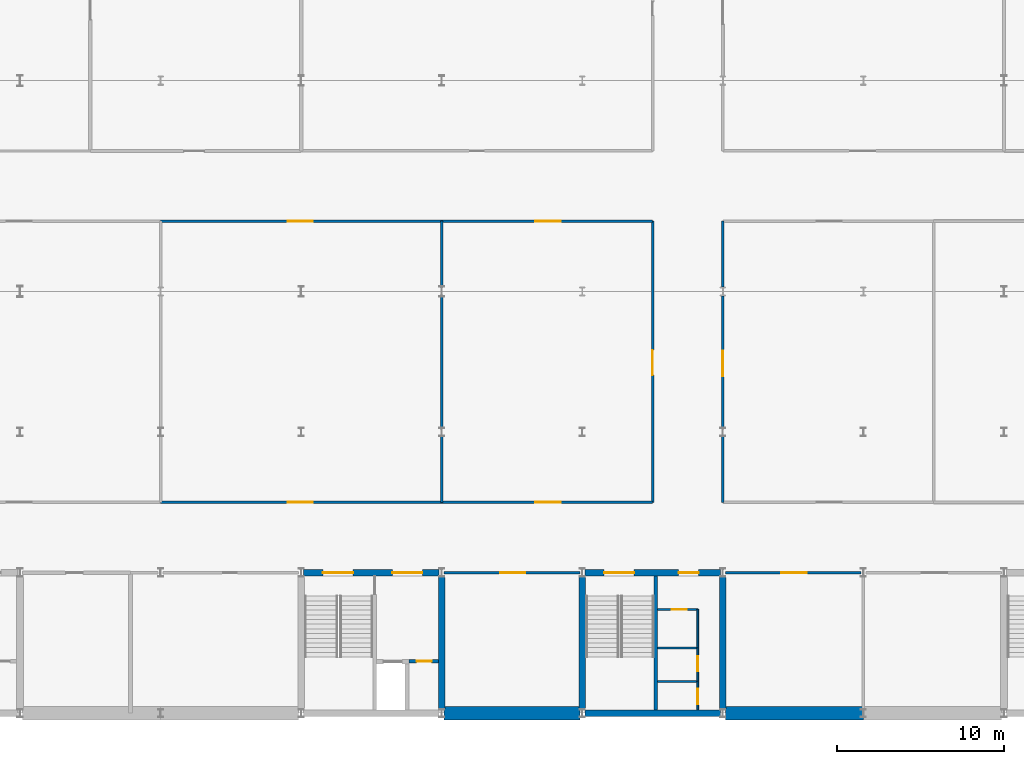
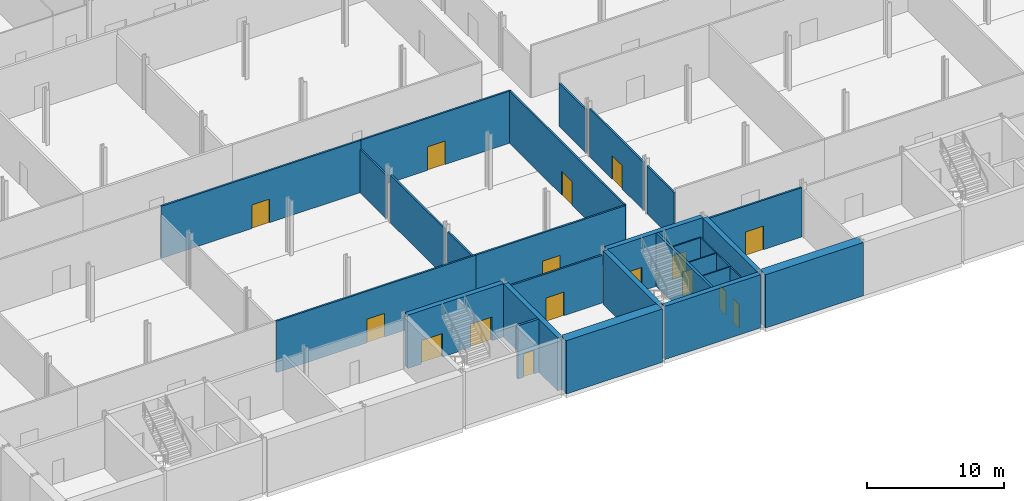
# One storey, part 11 of 20: 29 walls, 16 doors, 16 openings.
"""IFC4 building model written with IfcOpenShell, lengths in metres."""

from ifc_helpers import new_model, si_unit, direction, frame, frame_2d, origin, place, context, subcontext, project, spatial, rectangle, extrude, material, layer, layer_set, type_object, element, fill, save


model = new_model("IFC4")

# Units and contexts
model_context = context("Model", 3, precision=1e-05, world=origin(), true_north=direction((0.0, 1.0)))
body_context = subcontext(model_context, "Body", "Model", "MODEL_VIEW")
ifc_project = project(units=[si_unit("LENGTHUNIT", "METRE"), si_unit("AREAUNIT", "SQUARE_METRE"), si_unit("VOLUMEUNIT", "CUBIC_METRE"), si_unit("PLANEANGLEUNIT", "RADIAN"), si_unit("MASSUNIT", "GRAM", prefix="KILO")], contexts=[model_context])

# Site, building, storey
site_placement = place(None, origin())
site = spatial("IfcSite", under=ifc_project, at=site_placement, CompositionType="ELEMENT")
building_placement = place(site_placement, origin())
building = spatial("IfcBuilding", under=site, at=building_placement, Name="Galleria Vessillo Department Store", CompositionType="ELEMENT")
storey_placement = place(building_placement, frame((0.0, 0.0, -4.89990234375)))
storey = spatial("IfcBuildingStorey", under=building, at=storey_placement, Name="B1", CompositionType="ELEMENT", Elevation=-4.89990234375)

# Walls
ifc_material_1 = material(Name="Concrete C32/40 reinforced", Category="concrete")
ifc_layer_1 = layer(ifc_material_1, 0.800048828125)
ifc_layer_set_1 = layer_set([ifc_layer_1], Name="Concrete C32/40 reinforced")
wall_type_1 = type_object("IfcWallType", Name="Diaphragm wall 800 mm", PredefinedType="SOLIDWALL", material=ifc_layer_set_1)
wall_1_placement = place(storey_placement, frame((42.14990234375, 0.0, 0.0), z_axis=(0.0, 0.0, 1.0), x_axis=(1.0, 0.0, 0.0)))
element("IfcWall", 1, at=wall_1_placement, inside=storey, type_object=wall_type_1, Name="S-BW-S-B1-04", PredefinedType="SOLIDWALL", context=body_context, shape_type="SweptSolid", body=[
    extrude(rectangle(XDim=8.10009765625, YDim=0.800048828125, at=frame_2d((4.050048828125, 0.0))), origin(), (0.0, 0.0, 1.0), 4.75),
])
wall_2_placement = place(storey_placement, frame((58.949951171875, 0.0, 0.0), z_axis=(0.0, 0.0, 1.0), x_axis=(1.0, 0.0, 0.0)))
element("IfcWall", 2, at=wall_2_placement, inside=storey, type_object=wall_type_1, Name="S-BW-S-B1-05", PredefinedType="SOLIDWALL", context=body_context, shape_type="SweptSolid", body=[
    extrude(rectangle(XDim=8.25, YDim=0.800048828125, at=frame_2d((4.125, 0.0))), origin(), (0.0, 0.0, 1.0), 4.75),
])

# Wall, openings, doors
ifc_material_2 = material(Name="Concrete C32/40 reinforced", Category="concrete")
ifc_layer_2 = layer(ifc_material_2, 0.39990234375)
ifc_layer_set_2 = layer_set([ifc_layer_2], Name="Concrete C32/40 reinforced")
wall_type_2 = type_object("IfcWallType", Name="Reinforced concrete core wall 400 mm", PredefinedType="SHEAR", material=ifc_layer_set_2)
wall_3_placement = place(storey_placement, frame((33.75, 8.39990234375, 0.0), z_axis=(0.0, 0.0, 1.0), x_axis=(1.0, 0.0, 0.0)))
wall_3 = element("IfcWall", 3, at=wall_3_placement, inside=storey, type_object=wall_type_2, Name="S-CW-PC-SM-INTERIOR-B1", PredefinedType="SHEAR", context=body_context, shape_type="SweptSolid", body=[
    extrude(rectangle(XDim=8.10009765625, YDim=0.39990234375, at=frame_2d((4.050048828125, 0.0))), origin(), (0.0, 0.0, 1.0), 4.75),
])
opening_1_placement = place(wall_3_placement, frame((1.14990234375, 0.0, 0.0)))
opening_1 = element("IfcOpeningElement", 4, at=opening_1_placement, cuts=wall_3, Name="Opening D5071", PredefinedType="OPENING", context=body_context, shape_type="SweptSolid", body=[
    extrude(rectangle(XDim=1.800048828125, YDim=2.10009765625, at=frame_2d((0.89990234375, 1.050048828125))), frame((0.0, 0.2099609375, 0.0), z_axis=(0.0, -1.0, 0.0), x_axis=(1.0, 0.0, 0.0)), (0.0, 0.0, 1.0), 0.419921875),
])
opening_2_placement = place(wall_3_placement, frame((5.2998046875, 0.0, 0.0)))
opening_2 = element("IfcOpeningElement", 5, at=opening_2_placement, cuts=wall_3, Name="Opening D5072", PredefinedType="OPENING", context=body_context, shape_type="SweptSolid", body=[
    extrude(rectangle(XDim=1.800048828125, YDim=2.10009765625, at=frame_2d((0.89990234375, 1.050048828125))), frame((0.0, 0.2099609375, 0.0), z_axis=(0.0, -1.0, 0.0), x_axis=(1.0, 0.0, 0.0)), (0.0, 0.0, 1.0), 0.419921875),
])
ifc_material_3 = material(Name="Fire-rated steel door leaf", Category="steel")
door_type_1 = type_object("IfcDoorType", Name="Door D180F double leaf 1800 x 2100", OperationType="DOUBLE_DOOR_SINGLE_SWING", PredefinedType="DOOR", material=ifc_material_3)
door_1_placement = place(opening_1_placement, frame((1.800048828125, 0.0, 0.0), z_axis=(0.0, 0.0, 1.0), x_axis=(-1.0, 0.0, 0.0)))
door_1 = element("IfcDoor", 6, at=door_1_placement, inside=storey, type_object=door_type_1, Name="Lobby door PC-SM-ST-FLOOR B1", OperationType="DOUBLE_DOOR_SINGLE_SWING", OverallHeight=2.10009765625, OverallWidth=1.800048828125, PredefinedType="DOOR", context=body_context, shape_type="SweptSolid", body=[
    extrude(rectangle(XDim=1.800048828125, YDim=2.10009765625, at=frame_2d((0.89990234375, 1.050048828125))), frame((0.0, 0.02490234375, 0.0), z_axis=(0.0, -1.0, 0.0), x_axis=(1.0, 0.0, 0.0)), (0.0, 0.0, 1.0), 0.050048828125),
])
fill(opening_1, door_1)
door_2_placement = place(opening_2_placement, origin())
door_2 = element("IfcDoor", 7, at=door_2_placement, inside=storey, type_object=door_type_1, Name="Lobby door PC-SM-LOBBY-FLOOR B1", OperationType="DOUBLE_DOOR_SINGLE_SWING", OverallHeight=2.10009765625, OverallWidth=1.800048828125, PredefinedType="DOOR", context=body_context, shape_type="SweptSolid", body=[
    extrude(rectangle(XDim=1.800048828125, YDim=2.10009765625, at=frame_2d((0.89990234375, 1.050048828125))), frame((0.0, 0.02490234375, 0.0), z_axis=(0.0, -1.0, 0.0), x_axis=(1.0, 0.0, 0.0)), (0.0, 0.0, 1.0), 0.050048828125),
])
fill(opening_2, door_2)

# Wall
wall_4_placement = place(storey_placement, frame((42.0, 0.25, 0.0), z_axis=(0.0, 0.0, 1.0), x_axis=(0.0, 1.0, 0.0)))
element("IfcWall", 8, at=wall_4_placement, inside=storey, type_object=wall_type_2, Name="S-CW-PC-SM-EAST-B1", PredefinedType="SHEAR", context=body_context, shape_type="SweptSolid", body=[
    extrude(rectangle(XDim=7.89990234375, YDim=0.39990234375, at=frame_2d((3.949951171875, 0.0))), origin(), (0.0, 0.0, 1.0), 4.75),
])

# Wall, openings, doors
wall_5_placement = place(storey_placement, frame((50.5498046875, 8.39990234375, 0.0), z_axis=(0.0, 0.0, 1.0), x_axis=(1.0, 0.0, 0.0)))
wall_5 = element("IfcWall", 9, at=wall_5_placement, inside=storey, type_object=wall_type_2, Name="S-CW-PC-SC-INTERIOR-B1", PredefinedType="SHEAR", context=body_context, shape_type="SweptSolid", body=[
    extrude(rectangle(XDim=8.100341796875, YDim=0.39990234375, at=frame_2d((4.05029296875, 0.0))), origin(), (0.0, 0.0, 1.0), 4.75),
])
opening_3_placement = place(wall_5_placement, frame((1.150146484375, 0.0, 0.0)))
opening_3 = element("IfcOpeningElement", 10, at=opening_3_placement, cuts=wall_5, Name="Opening D5191", PredefinedType="OPENING", context=body_context, shape_type="SweptSolid", body=[
    extrude(rectangle(XDim=1.800048828125, YDim=2.10009765625, at=frame_2d((0.89990234375, 1.050048828125))), frame((0.0, 0.2099609375, 0.0), z_axis=(0.0, -1.0, 0.0), x_axis=(1.0, 0.0, 0.0)), (0.0, 0.0, 1.0), 0.419921875),
])
opening_4_placement = place(wall_5_placement, frame((5.60009765625, 0.0, 0.0)))
opening_4 = element("IfcOpeningElement", 11, at=opening_4_placement, cuts=wall_5, Name="Opening D5192", PredefinedType="OPENING", context=body_context, shape_type="SweptSolid", body=[
    extrude(rectangle(XDim=1.199951171875, YDim=2.10009765625, at=frame_2d((0.60009765625, 1.050048828125))), frame((0.0, 0.2099609375, 0.0), z_axis=(0.0, -1.0, 0.0), x_axis=(1.0, 0.0, 0.0)), (0.0, 0.0, 1.0), 0.419921875),
])
ifc_material_4 = material(Name="Fire-rated steel door leaf", Category="steel")
door_type_2 = type_object("IfcDoorType", Name="Door D120F fire door 1200 x 2100", OperationType="SINGLE_SWING_LEFT", PredefinedType="DOOR", material=ifc_material_4)
door_3_placement = place(opening_4_placement, frame((1.199951171875, 0.0, 0.0), z_axis=(0.0, 0.0, 1.0), x_axis=(-1.0, 0.0, 0.0)))
door_3 = element("IfcDoor", 12, at=door_3_placement, inside=storey, type_object=door_type_2, Name="Lobby door PC-SC-WC-FLOOR B1", OperationType="SINGLE_SWING_RIGHT", OverallHeight=2.10009765625, OverallWidth=1.199951171875, PredefinedType="DOOR", context=body_context, shape_type="SweptSolid", body=[
    extrude(rectangle(XDim=1.199951171875, YDim=2.10009765625, at=frame_2d((0.60009765625, 1.050048828125))), frame((0.0, 0.02490234375, 0.0), z_axis=(0.0, -1.0, 0.0), x_axis=(1.0, 0.0, 0.0)), (0.0, 0.0, 1.0), 0.050048828125),
])
fill(opening_4, door_3)
door_4_placement = place(opening_3_placement, frame((1.800048828125, 0.0, 0.0), z_axis=(0.0, 0.0, 1.0), x_axis=(-1.0, 0.0, 0.0)))
door_4 = element("IfcDoor", 13, at=door_4_placement, inside=storey, type_object=door_type_1, Name="Lobby door PC-SC-ST-FLOOR B1", OperationType="DOUBLE_DOOR_SINGLE_SWING", OverallHeight=2.10009765625, OverallWidth=1.800048828125, PredefinedType="DOOR", context=body_context, shape_type="SweptSolid", body=[
    extrude(rectangle(XDim=1.800048828125, YDim=2.10009765625, at=frame_2d((0.89990234375, 1.050048828125))), frame((0.0, 0.02490234375, 0.0), z_axis=(0.0, -1.0, 0.0), x_axis=(1.0, 0.0, 0.0)), (0.0, 0.0, 1.0), 0.050048828125),
])
fill(opening_3, door_4)

# Walls
for number, where, z_axis, x_axis, name in (
    (14, (50.39990234375, 0.25, 0.0), (0.0, 0.0, 1.0), (0.0, 1.0, 0.0), "S-CW-PC-SC-WEST-B1"),
    (15, (58.800048828125, 0.25, 0.0), (0.0, 0.0, 1.0), (0.0, 1.0, 0.0), "S-CW-PC-SC-EAST-B1"),
):
    element("IfcWall", number, at=place(storey_placement, frame(where, z_axis=z_axis, x_axis=x_axis)), inside=storey, type_object=wall_type_2, Name=name, PredefinedType="SHEAR", context=body_context, shape_type="SweptSolid", body=[
        extrude(rectangle(XDim=7.89990234375, YDim=0.39990234375, at=frame_2d((3.949951171875, 0.0))), origin(), (0.0, 0.0, 1.0), 4.75),
    ])
ifc_material_5 = material(Name="Concrete C32/40 reinforced", Category="concrete")
ifc_layer_3 = layer(ifc_material_5, 0.39990234375)
ifc_layer_set_3 = layer_set([ifc_layer_3], Name="Concrete C32/40 reinforced")
wall_type_3 = type_object("IfcWallType", Name="Reinforced concrete core wall 400 mm, external", PredefinedType="SHEAR", material=ifc_layer_set_3)
wall_6_placement = place(storey_placement, frame((50.5498046875, 0.0, 0.0), z_axis=(0.0, 0.0, 1.0), x_axis=(1.0, 0.0, 0.0)))
element("IfcWall", 16, at=wall_6_placement, inside=storey, type_object=wall_type_3, Name="S-CW-PC-SC-PARTY-B1", PredefinedType="SHEAR", context=body_context, shape_type="SweptSolid", body=[
    extrude(rectangle(XDim=8.100341796875, YDim=0.39990234375, at=frame_2d((4.05029296875, 0.0))), origin(), (0.0, 0.0, 1.0), 4.75),
])
ifc_material_6 = material(Name="Concrete C32/40 reinforced", Category="concrete")
ifc_layer_4 = layer(ifc_material_6, 0.199951171875)
ifc_layer_set_4 = layer_set([ifc_layer_4], Name="Concrete C32/40 reinforced")
wall_type_4 = type_object("IfcWallType", Name="Reinforced concrete stair enclosure wall 200 mm", PredefinedType="SHEAR", material=ifc_layer_set_4)
wall_7_placement = place(storey_placement, frame((54.7998046875, 0.199951171875, 0.0), z_axis=(0.0, 0.0, 1.0), x_axis=(0.0, 1.0, 0.0)))
element("IfcWall", 17, at=wall_7_placement, inside=storey, type_object=wall_type_4, Name="Stair enclosure wall PC-SC B1", PredefinedType="SHEAR", context=body_context, shape_type="SweptSolid", body=[
    extrude(rectangle(XDim=8.0, YDim=0.199951171875, at=frame_2d((4.0, 0.0))), origin(), (0.0, 0.0, 1.0), 4.75),
])

# Wall, opening, door
ifc_material_7 = material(Name="Hollow clay block masonry", Category="masonry")
ifc_layer_5 = layer(ifc_material_7, 0.199951171875)
ifc_layer_set_5 = layer_set([ifc_layer_5], Name="Hollow clay block masonry")
wall_type_5 = type_object("IfcWallType", Name="Riser and service room wall 200 mm", PredefinedType="PARTITIONING", material=ifc_layer_set_5)
wall_8_placement = place(storey_placement, frame((40.050048828125, 3.099853515625, 0.0), z_axis=(0.0, 0.0, 1.0), x_axis=(1.0, 0.0, 0.0)))
wall_8 = element("IfcWall", 18, at=wall_8_placement, inside=storey, type_object=wall_type_5, Name="Riser wall PC-SM-RISER B1", PredefinedType="PARTITIONING", context=body_context, shape_type="SweptSolid", body=[
    extrude(rectangle(XDim=1.75, YDim=0.199951171875, at=frame_2d((0.875, 0.0))), origin(), (0.0, 0.0, 1.0), 4.75),
])
opening_5_placement = place(wall_8_placement, frame((0.449951171875, 0.0, 0.0)))
opening_5 = element("IfcOpeningElement", 19, at=opening_5_placement, cuts=wall_8, Name="Opening D5070", PredefinedType="OPENING", context=body_context, shape_type="SweptSolid", body=[
    extrude(rectangle(XDim=0.89990234375, YDim=2.10009765625, at=frame_2d((0.449951171875, 1.050048828125))), frame((0.0, 0.10986328125, 0.0), z_axis=(0.0, -1.0, 0.0), x_axis=(1.0, 0.0, 0.0)), (0.0, 0.0, 1.0), 0.219970703125),
])
ifc_material_8 = material(Name="Fire-rated steel door leaf", Category="steel")
door_type_3 = type_object("IfcDoorType", Name="Door DR90 riser access 900 x 2100", OperationType="SINGLE_SWING_LEFT", PredefinedType="DOOR", material=ifc_material_8)
door_5_placement = place(opening_5_placement, frame((0.89990234375, 0.0, 0.0), z_axis=(0.0, 0.0, 1.0), x_axis=(-1.0, 0.0, 0.0)))
door_5 = element("IfcDoor", 20, at=door_5_placement, inside=storey, type_object=door_type_3, Name="Riser door PC-SM-RISER-D B1", OperationType="SINGLE_SWING_LEFT", OverallHeight=2.10009765625, OverallWidth=0.89990234375, PredefinedType="DOOR", context=body_context, shape_type="SweptSolid", body=[
    extrude(rectangle(XDim=0.89990234375, YDim=2.10009765625, at=frame_2d((0.449951171875, 1.050048828125))), frame((0.0, 0.02490234375, 0.0), z_axis=(0.0, -1.0, 0.0), x_axis=(1.0, 0.0, 0.0)), (0.0, 0.0, 1.0), 0.050048828125),
])
fill(opening_5, door_5)

ifc_material_9 = material(Name="Concrete blockwork", Category="masonry")
ifc_layer_6 = layer(ifc_material_9, 0.14990234375)
ifc_layer_set_6 = layer_set([ifc_layer_6], Name="Concrete blockwork")
wall_type_6 = type_object("IfcWallType", Name="Stockroom blockwork wall 150 mm", PredefinedType="SOLIDWALL", material=ifc_layer_set_6)
wall_9_placement = place(storey_placement, frame((42.14990234375, 8.39990234375, 0.0), z_axis=(0.0, 0.0, 1.0), x_axis=(1.0, 0.0, 0.0)))
wall_9 = element("IfcWall", 21, at=wall_9_placement, inside=storey, type_object=wall_type_6, Name="Partition wall PT4 on B1 no. 017", PredefinedType="SOLIDWALL", context=body_context, shape_type="SweptSolid", body=[
    extrude(rectangle(XDim=8.10009765625, YDim=0.14990234375, at=frame_2d((4.050048828125, 0.0))), origin(), (0.0, 0.0, 1.0), 4.259765625),
])
opening_6_placement = place(wall_9_placement, frame((3.35009765625, 0.0, 0.0)))
opening_6 = element("IfcOpeningElement", 22, at=opening_6_placement, cuts=wall_9, Name="Opening D2110", PredefinedType="OPENING", context=body_context, shape_type="SweptSolid", body=[
    extrude(rectangle(XDim=1.5, YDim=2.10009765625, at=frame_2d((0.75, 1.050048828125))), frame((0.0, 0.0849609375, 0.0), z_axis=(0.0, -1.0, 0.0), x_axis=(1.0, 0.0, 0.0)), (0.0, 0.0, 1.0), 0.169921875),
])
ifc_material_10 = material(Name="Steel fire door leaf", Category="steel")
door_type_4 = type_object("IfcDoorType", Name="Stockroom fire door 1500 double leaf", OperationType="DOUBLE_DOOR_SINGLE_SWING", PredefinedType="DOOR", material=ifc_material_10)
door_6_placement = place(opening_6_placement, frame((1.5, 0.0, 0.0), z_axis=(0.0, 0.0, 1.0), x_axis=(-1.0, 0.0, 0.0)))
door_6 = element("IfcDoor", 23, at=door_6_placement, inside=storey, type_object=door_type_4, Name="Door D2110", OperationType="DOUBLE_DOOR_SINGLE_SWING", OverallHeight=2.10009765625, OverallWidth=1.5, PredefinedType="DOOR", context=body_context, shape_type="SweptSolid", body=[
    extrude(rectangle(XDim=1.5, YDim=2.10009765625, at=frame_2d((0.75, 1.050048828125))), frame((0.0, 0.02490234375, 0.0), z_axis=(0.0, -1.0, 0.0), x_axis=(1.0, 0.0, 0.0)), (0.0, 0.0, 1.0), 0.050048828125),
])
fill(opening_6, door_6)

wall_10_placement = place(storey_placement, frame((58.949951171875, 8.39990234375, 0.0), z_axis=(0.0, 0.0, 1.0), x_axis=(1.0, 0.0, 0.0)))
wall_10 = element("IfcWall", 24, at=wall_10_placement, inside=storey, type_object=wall_type_6, Name="Partition wall PT4 on B1 no. 018", PredefinedType="SOLIDWALL", context=body_context, shape_type="SweptSolid", body=[
    extrude(rectangle(XDim=8.10009765625, YDim=0.14990234375, at=frame_2d((4.050048828125, 0.0))), origin(), (0.0, 0.0, 1.0), 4.39990234375),
])
opening_7_placement = place(wall_10_placement, frame((3.35009765625, 0.0, 0.0)))
opening_7 = element("IfcOpeningElement", 25, at=opening_7_placement, cuts=wall_10, Name="Opening D2111", PredefinedType="OPENING", context=body_context, shape_type="SweptSolid", body=[
    extrude(rectangle(XDim=1.5, YDim=2.10009765625, at=frame_2d((0.75, 1.050048828125))), frame((0.0, 0.0849609375, 0.0), z_axis=(0.0, -1.0, 0.0), x_axis=(1.0, 0.0, 0.0)), (0.0, 0.0, 1.0), 0.169921875),
])
door_7_placement = place(opening_7_placement, frame((1.5, 0.0, 0.0), z_axis=(0.0, 0.0, 1.0), x_axis=(-1.0, 0.0, 0.0)))
door_7 = element("IfcDoor", 26, at=door_7_placement, inside=storey, type_object=door_type_4, Name="Door D2111", OperationType="DOUBLE_DOOR_SINGLE_SWING", OverallHeight=2.10009765625, OverallWidth=1.5, PredefinedType="DOOR", context=body_context, shape_type="SweptSolid", body=[
    extrude(rectangle(XDim=1.5, YDim=2.10009765625, at=frame_2d((0.75, 1.050048828125))), frame((0.0, 0.02490234375, 0.0), z_axis=(0.0, -1.0, 0.0), x_axis=(1.0, 0.0, 0.0)), (0.0, 0.0, 1.0), 0.050048828125),
])
fill(opening_7, door_7)

wall_11_placement = place(storey_placement, frame((25.199951171875, 12.60009765625, 0.0), z_axis=(0.0, 0.0, 1.0), x_axis=(1.0, 0.0, 0.0)))
wall_11 = element("IfcWall", 27, at=wall_11_placement, inside=storey, type_object=wall_type_6, Name="Partition wall PT4 on B1 no. 025", PredefinedType="SOLIDWALL", context=body_context, shape_type="SweptSolid", body=[
    extrude(rectangle(XDim=16.800048828125, YDim=0.14990234375, at=frame_2d((8.39990234375, 0.0))), origin(), (0.0, 0.0, 1.0), 4.599853515625),
])
opening_8_placement = place(wall_11_placement, frame((7.60009765625, 0.0, 0.0)))
opening_8 = element("IfcOpeningElement", 28, at=opening_8_placement, cuts=wall_11, Name="Opening D2117", PredefinedType="OPENING", context=body_context, shape_type="SweptSolid", body=[
    extrude(rectangle(XDim=1.5, YDim=2.10009765625, at=frame_2d((0.75, 1.050048828125))), frame((0.0, 0.0849609375, 0.0), z_axis=(0.0, -1.0, 0.0), x_axis=(1.0, 0.0, 0.0)), (0.0, 0.0, 1.0), 0.169921875),
])
door_8_placement = place(opening_8_placement, origin())
door_8 = element("IfcDoor", 29, at=door_8_placement, inside=storey, type_object=door_type_4, Name="Door D2117", OperationType="DOUBLE_DOOR_SINGLE_SWING", OverallHeight=2.10009765625, OverallWidth=1.5, PredefinedType="DOOR", context=body_context, shape_type="SweptSolid", body=[
    extrude(rectangle(XDim=1.5, YDim=2.10009765625, at=frame_2d((0.75, 1.050048828125))), frame((0.0, 0.02490234375, 0.0), z_axis=(0.0, -1.0, 0.0), x_axis=(1.0, 0.0, 0.0)), (0.0, 0.0, 1.0), 0.050048828125),
])
fill(opening_8, door_8)

wall_12_placement = place(storey_placement, frame((42.0, 12.60009765625, 0.0), z_axis=(0.0, 0.0, 1.0), x_axis=(1.0, 0.0, 0.0)))
wall_12 = element("IfcWall", 30, at=wall_12_placement, inside=storey, type_object=wall_type_6, Name="Partition wall PT4 on B1 no. 026", PredefinedType="SOLIDWALL", context=body_context, shape_type="SweptSolid", body=[
    extrude(rectangle(XDim=12.60009765625, YDim=0.14990234375, at=frame_2d((6.300048828125, 0.0))), origin(), (0.0, 0.0, 1.0), 4.599853515625),
])
opening_9_placement = place(wall_12_placement, frame((5.60009765625, 0.0, 0.0)))
opening_9 = element("IfcOpeningElement", 31, at=opening_9_placement, cuts=wall_12, Name="Opening D2118", PredefinedType="OPENING", context=body_context, shape_type="SweptSolid", body=[
    extrude(rectangle(XDim=1.5, YDim=2.10009765625, at=frame_2d((0.75, 1.050048828125))), frame((0.0, 0.0849609375, 0.0), z_axis=(0.0, -1.0, 0.0), x_axis=(1.0, 0.0, 0.0)), (0.0, 0.0, 1.0), 0.169921875),
])
door_9_placement = place(opening_9_placement, origin())
door_9 = element("IfcDoor", 32, at=door_9_placement, inside=storey, type_object=door_type_4, Name="Door D2118", OperationType="DOUBLE_DOOR_SINGLE_SWING", OverallHeight=2.10009765625, OverallWidth=1.5, PredefinedType="DOOR", context=body_context, shape_type="SweptSolid", body=[
    extrude(rectangle(XDim=1.5, YDim=2.10009765625, at=frame_2d((0.75, 1.050048828125))), frame((0.0, 0.02490234375, 0.0), z_axis=(0.0, -1.0, 0.0), x_axis=(1.0, 0.0, 0.0)), (0.0, 0.0, 1.0), 0.050048828125),
])
fill(opening_9, door_9)

wall_13_placement = place(storey_placement, frame((25.199951171875, 29.39990234375, 0.0), z_axis=(0.0, 0.0, 1.0), x_axis=(1.0, 0.0, 0.0)))
wall_13 = element("IfcWall", 33, at=wall_13_placement, inside=storey, type_object=wall_type_6, Name="Partition wall PT4 on B1 no. 033", PredefinedType="SOLIDWALL", context=body_context, shape_type="SweptSolid", body=[
    extrude(rectangle(XDim=16.800048828125, YDim=0.14990234375, at=frame_2d((8.39990234375, 0.0))), origin(), (0.0, 0.0, 1.0), 4.64990234375),
])
opening_10_placement = place(wall_13_placement, frame((7.60009765625, 0.0, 0.0)))
opening_10 = element("IfcOpeningElement", 34, at=opening_10_placement, cuts=wall_13, Name="Opening D2125", PredefinedType="OPENING", context=body_context, shape_type="SweptSolid", body=[
    extrude(rectangle(XDim=1.5, YDim=2.10009765625, at=frame_2d((0.75, 1.050048828125))), frame((0.0, 0.0849609375, 0.0), z_axis=(0.0, -1.0, 0.0), x_axis=(1.0, 0.0, 0.0)), (0.0, 0.0, 1.0), 0.169921875),
])
door_10_placement = place(opening_10_placement, frame((1.5, 0.0, 0.0), z_axis=(0.0, 0.0, 1.0), x_axis=(-1.0, 0.0, 0.0)))
door_10 = element("IfcDoor", 35, at=door_10_placement, inside=storey, type_object=door_type_4, Name="Door D2125", OperationType="DOUBLE_DOOR_SINGLE_SWING", OverallHeight=2.10009765625, OverallWidth=1.5, PredefinedType="DOOR", context=body_context, shape_type="SweptSolid", body=[
    extrude(rectangle(XDim=1.5, YDim=2.10009765625, at=frame_2d((0.75, 1.050048828125))), frame((0.0, 0.02490234375, 0.0), z_axis=(0.0, -1.0, 0.0), x_axis=(1.0, 0.0, 0.0)), (0.0, 0.0, 1.0), 0.050048828125),
])
fill(opening_10, door_10)

wall_14_placement = place(storey_placement, frame((42.0, 29.39990234375, 0.0), z_axis=(0.0, 0.0, 1.0), x_axis=(1.0, 0.0, 0.0)))
wall_14 = element("IfcWall", 36, at=wall_14_placement, inside=storey, type_object=wall_type_6, Name="Partition wall PT4 on B1 no. 034", PredefinedType="SOLIDWALL", context=body_context, shape_type="SweptSolid", body=[
    extrude(rectangle(XDim=12.60009765625, YDim=0.14990234375, at=frame_2d((6.300048828125, 0.0))), origin(), (0.0, 0.0, 1.0), 4.64990234375),
])
opening_11_placement = place(wall_14_placement, frame((5.60009765625, 0.0, 0.0)))
opening_11 = element("IfcOpeningElement", 37, at=opening_11_placement, cuts=wall_14, Name="Opening D2126", PredefinedType="OPENING", context=body_context, shape_type="SweptSolid", body=[
    extrude(rectangle(XDim=1.5, YDim=2.10009765625, at=frame_2d((0.75, 1.050048828125))), frame((0.0, 0.0849609375, 0.0), z_axis=(0.0, -1.0, 0.0), x_axis=(1.0, 0.0, 0.0)), (0.0, 0.0, 1.0), 0.169921875),
])
door_11_placement = place(opening_11_placement, frame((1.5, 0.0, 0.0), z_axis=(0.0, 0.0, 1.0), x_axis=(-1.0, 0.0, 0.0)))
door_11 = element("IfcDoor", 38, at=door_11_placement, inside=storey, type_object=door_type_4, Name="Door D2126", OperationType="DOUBLE_DOOR_SINGLE_SWING", OverallHeight=2.10009765625, OverallWidth=1.5, PredefinedType="DOOR", context=body_context, shape_type="SweptSolid", body=[
    extrude(rectangle(XDim=1.5, YDim=2.10009765625, at=frame_2d((0.75, 1.050048828125))), frame((0.0, 0.02490234375, 0.0), z_axis=(0.0, -1.0, 0.0), x_axis=(1.0, 0.0, 0.0)), (0.0, 0.0, 1.0), 0.050048828125),
])
fill(opening_11, door_11)

wall_15_placement = place(storey_placement, frame((54.60009765625, 12.60009765625, 0.0), z_axis=(0.0, 0.0, 1.0), x_axis=(0.0, 1.0, 0.0)))
wall_15 = element("IfcWall", 39, at=wall_15_placement, inside=storey, type_object=wall_type_6, Name="Partition wall PT4 on B1 no. 065", PredefinedType="SOLIDWALL", context=body_context, shape_type="SweptSolid", body=[
    extrude(rectangle(XDim=16.7998046875, YDim=0.14990234375, at=frame_2d((8.39990234375, 0.0))), origin(), (0.0, 0.0, 1.0), 4.64990234375),
])
opening_12_placement = place(wall_15_placement, frame((7.60009765625, 0.0, 0.0)))
opening_12 = element("IfcOpeningElement", 40, at=opening_12_placement, cuts=wall_15, Name="Opening D2151", PredefinedType="OPENING", context=body_context, shape_type="SweptSolid", body=[
    extrude(rectangle(XDim=1.5, YDim=2.10009765625, at=frame_2d((0.75, 1.050048828125))), frame((0.0, 0.0849609375, 0.0), z_axis=(0.0, -1.0, 0.0), x_axis=(1.0, 0.0, 0.0)), (0.0, 0.0, 1.0), 0.169921875),
])
door_12_placement = place(opening_12_placement, origin())
door_12 = element("IfcDoor", 41, at=door_12_placement, inside=storey, type_object=door_type_4, Name="Door D2151", OperationType="DOUBLE_DOOR_SINGLE_SWING", OverallHeight=2.10009765625, OverallWidth=1.5, PredefinedType="DOOR", context=body_context, shape_type="SweptSolid", body=[
    extrude(rectangle(XDim=1.5, YDim=2.10009765625, at=frame_2d((0.75, 1.050048828125))), frame((0.0, 0.02490234375, 0.0), z_axis=(0.0, -1.0, 0.0), x_axis=(1.0, 0.0, 0.0)), (0.0, 0.0, 1.0), 0.050048828125),
])
fill(opening_12, door_12)

# Wall
wall_16_placement = place(storey_placement, frame((58.800048828125, 12.60009765625, 0.0), z_axis=(0.0, 0.0, 1.0), x_axis=(0.0, 1.0, 0.0)))
element("IfcWall", 42, at=wall_16_placement, inside=storey, type_object=wall_type_6, Name="Partition wall PT4 on B1 no. 066", PredefinedType="SOLIDWALL", context=body_context, shape_type="SweptSolid", body=[
    extrude(rectangle(XDim=3.949951171875, YDim=0.14990234375, at=frame_2d((1.97509765625, 0.0))), origin(), (0.0, 0.0, 1.0), 4.259765625),
])

# Wall, opening, door
wall_17_placement = place(storey_placement, frame((58.800048828125, 17.050048828125, 0.0), z_axis=(0.0, 0.0, 1.0), x_axis=(0.0, 1.0, 0.0)))
wall_17 = element("IfcWall", 43, at=wall_17_placement, inside=storey, type_object=wall_type_6, Name="Partition wall PT4 on B1 no. 067", PredefinedType="SOLIDWALL", context=body_context, shape_type="SweptSolid", body=[
    extrude(rectangle(XDim=7.887939453125, YDim=0.14990234375, at=frame_2d((3.94384765625, 0.0))), origin(), (0.0, 0.0, 1.0), 4.259765625),
])
opening_13_placement = place(wall_17_placement, frame((3.10009765625, 0.0, 0.0)))
opening_13 = element("IfcOpeningElement", 44, at=opening_13_placement, cuts=wall_17, Name="Opening D2152", PredefinedType="OPENING", context=body_context, shape_type="SweptSolid", body=[
    extrude(rectangle(XDim=1.5, YDim=2.10009765625, at=frame_2d((0.75, 1.050048828125))), frame((0.0, 0.0849609375, 0.0), z_axis=(0.0, -1.0, 0.0), x_axis=(1.0, 0.0, 0.0)), (0.0, 0.0, 1.0), 0.169921875),
])
door_13_placement = place(opening_13_placement, frame((1.5, 0.0, 0.0), z_axis=(0.0, 0.0, 1.0), x_axis=(-1.0, 0.0, 0.0)))
door_13 = element("IfcDoor", 45, at=door_13_placement, inside=storey, type_object=door_type_4, Name="Door D2152", OperationType="DOUBLE_DOOR_SINGLE_SWING", OverallHeight=2.10009765625, OverallWidth=1.5, PredefinedType="DOOR", context=body_context, shape_type="SweptSolid", body=[
    extrude(rectangle(XDim=1.5, YDim=2.10009765625, at=frame_2d((0.75, 1.050048828125))), frame((0.0, 0.02490234375, 0.0), z_axis=(0.0, -1.0, 0.0), x_axis=(1.0, 0.0, 0.0)), (0.0, 0.0, 1.0), 0.050048828125),
])
fill(opening_13, door_13)

# Walls
wall_18_placement = place(storey_placement, frame((58.800048828125, 25.4619140625, 0.0), z_axis=(0.0, 0.0, 1.0), x_axis=(0.0, 1.0, 0.0)))
element("IfcWall", 46, at=wall_18_placement, inside=storey, type_object=wall_type_6, Name="Partition wall PT4 on B1 no. 068", PredefinedType="SOLIDWALL", context=body_context, shape_type="SweptSolid", body=[
    extrude(rectangle(XDim=3.93798828125, YDim=0.14990234375, at=frame_2d((1.968994140625, 0.0))), origin(), (0.0, 0.0, 1.0), 3.85986328125),
])
wall_19_placement = place(storey_placement, frame((42.0, 12.60009765625, 0.0), z_axis=(0.0, 0.0, 1.0), x_axis=(0.0, 1.0, 0.0)))
element("IfcWall", 47, at=wall_19_placement, inside=storey, type_object=wall_type_6, Name="Partition wall PT4 on B1 no. 082", PredefinedType="SOLIDWALL", context=body_context, shape_type="SweptSolid", body=[
    extrude(rectangle(XDim=3.949951171875, YDim=0.14990234375, at=frame_2d((1.97509765625, 0.0))), origin(), (0.0, 0.0, 1.0), 4.259765625),
])
wall_20_placement = place(storey_placement, frame((42.0, 17.050048828125, 0.0), z_axis=(0.0, 0.0, 1.0), x_axis=(0.0, 1.0, 0.0)))
element("IfcWall", 48, at=wall_20_placement, inside=storey, type_object=wall_type_6, Name="Partition wall PT4 on B1 no. 083", PredefinedType="SOLIDWALL", context=body_context, shape_type="SweptSolid", body=[
    extrude(rectangle(XDim=7.83984375, YDim=0.14990234375, at=frame_2d((3.919921875, 0.0))), origin(), (0.0, 0.0, 1.0), 4.259765625),
])
wall_21_placement = place(storey_placement, frame((42.0, 25.510009765625, 0.0), z_axis=(0.0, 0.0, 1.0), x_axis=(0.0, 1.0, 0.0)))
element("IfcWall", 49, at=wall_21_placement, inside=storey, type_object=wall_type_6, Name="Partition wall PT4 on B1 no. 084", PredefinedType="SOLIDWALL", context=body_context, shape_type="SweptSolid", body=[
    extrude(rectangle(XDim=3.889892578125, YDim=0.14990234375, at=frame_2d((1.94482421875, 0.0))), origin(), (0.0, 0.0, 1.0), 3.85986328125),
])

# Wall, opening, door
ifc_material_11 = material(Name="Moisture-resistant board partition")
ifc_layer_7 = layer(ifc_material_11, 0.10009765625)
ifc_layer_set_7 = layer_set([ifc_layer_7], Name="Moisture-resistant board partition")
wall_type_7 = type_object("IfcWallType", Name="WC and cubicle partition 100 mm", PredefinedType="PARTITIONING", material=ifc_layer_set_7)
wall_22_placement = place(storey_placement, frame((54.89990234375, 6.199951171875, 0.0), z_axis=(0.0, 0.0, 1.0), x_axis=(1.0, 0.0, 0.0)))
wall_22 = element("IfcWall", 50, at=wall_22_placement, inside=storey, type_object=wall_type_7, Name="Partition wall PT1 on B1 no. 001", PredefinedType="PARTITIONING", context=body_context, shape_type="SweptSolid", body=[
    extrude(rectangle(XDim=2.39990234375, YDim=0.10009765625, at=frame_2d((1.199951171875, 0.0))), origin(), (0.0, 0.0, 1.0), 4.679931640625),
])
opening_14_placement = place(wall_22_placement, frame((0.85009765625, 0.0, 0.0)))
opening_14 = element("IfcOpeningElement", 51, at=opening_14_placement, cuts=wall_22, Name="Opening D2101", PredefinedType="OPENING", context=body_context, shape_type="SweptSolid", body=[
    extrude(rectangle(XDim=0.89990234375, YDim=2.10009765625, at=frame_2d((0.449951171875, 1.050048828125))), frame((0.0, 0.06005859375, 0.0), z_axis=(0.0, -1.0, 0.0), x_axis=(1.0, 0.0, 0.0)), (0.0, 0.0, 1.0), 0.1201171875),
])
ifc_material_12 = material(Name="Timber and glass door leaf", Category="wood")
door_type_5 = type_object("IfcDoorType", Name="Floor door 900 single leaf", OperationType="SINGLE_SWING_LEFT", PredefinedType="DOOR", material=ifc_material_12)
door_14_placement = place(opening_14_placement, origin())
door_14 = element("IfcDoor", 52, at=door_14_placement, inside=storey, type_object=door_type_5, Name="Door D2101", OperationType="SINGLE_SWING_LEFT", OverallHeight=2.10009765625, OverallWidth=0.89990234375, PredefinedType="DOOR", context=body_context, shape_type="SweptSolid", body=[
    extrude(rectangle(XDim=0.89990234375, YDim=2.10009765625, at=frame_2d((0.449951171875, 1.050048828125))), frame((0.0, 0.02490234375, 0.0), z_axis=(0.0, -1.0, 0.0), x_axis=(1.0, 0.0, 0.0)), (0.0, 0.0, 1.0), 0.050048828125),
])
fill(opening_14, door_14)

# Wall
wall_23_placement = place(storey_placement, frame((57.2998046875, 3.89990234375, 0.0), z_axis=(0.0, 0.0, 1.0), x_axis=(0.0, 1.0, 0.0)))
element("IfcWall", 53, at=wall_23_placement, inside=storey, type_object=wall_type_7, Name="Partition wall PT1 on B1 no. 002", PredefinedType="PARTITIONING", context=body_context, shape_type="SweptSolid", body=[
    extrude(rectangle(XDim=2.300048828125, YDim=0.10009765625, at=frame_2d((1.14990234375, 0.0))), origin(), (0.0, 0.0, 1.0), 4.679931640625),
])

# Wall, opening, door
wall_24_placement = place(storey_placement, frame((57.2998046875, 1.89990234375, 0.0), z_axis=(0.0, 0.0, 1.0), x_axis=(0.0, 1.0, 0.0)))
wall_24 = element("IfcWall", 54, at=wall_24_placement, inside=storey, type_object=wall_type_7, Name="Partition wall PT1 on B1 no. 003", PredefinedType="PARTITIONING", context=body_context, shape_type="SweptSolid", body=[
    extrude(rectangle(XDim=2.0, YDim=0.10009765625, at=frame_2d((1.0, 0.0))), origin(), (0.0, 0.0, 1.0), 4.679931640625),
])
opening_15_placement = place(wall_24_placement, frame((0.60009765625, 0.0, 0.0)))
opening_15 = element("IfcOpeningElement", 55, at=opening_15_placement, cuts=wall_24, Name="Opening D2102", PredefinedType="OPENING", context=body_context, shape_type="SweptSolid", body=[
    extrude(rectangle(XDim=0.89990234375, YDim=2.10009765625, at=frame_2d((0.449951171875, 1.050048828125))), frame((0.0, 0.06005859375, 0.0), z_axis=(0.0, -1.0, 0.0), x_axis=(1.0, 0.0, 0.0)), (0.0, 0.0, 1.0), 0.1201171875),
])
door_15_placement = place(opening_15_placement, frame((0.89990234375, 0.0, 0.0), z_axis=(0.0, 0.0, 1.0), x_axis=(-1.0, 0.0, 0.0)))
door_15 = element("IfcDoor", 56, at=door_15_placement, inside=storey, type_object=door_type_5, Name="Door D2102", OperationType="SINGLE_SWING_LEFT", OverallHeight=2.10009765625, OverallWidth=0.89990234375, PredefinedType="DOOR", context=body_context, shape_type="SweptSolid", body=[
    extrude(rectangle(XDim=0.89990234375, YDim=2.10009765625, at=frame_2d((0.449951171875, 1.050048828125))), frame((0.0, 0.02490234375, 0.0), z_axis=(0.0, -1.0, 0.0), x_axis=(1.0, 0.0, 0.0)), (0.0, 0.0, 1.0), 0.050048828125),
])
fill(opening_15, door_15)

wall_25_placement = place(storey_placement, frame((57.2998046875, 0.199951171875, 0.0), z_axis=(0.0, 0.0, 1.0), x_axis=(0.0, 1.0, 0.0)))
wall_25 = element("IfcWall", 57, at=wall_25_placement, inside=storey, type_object=wall_type_7, Name="Partition wall PT1 on B1 no. 004", PredefinedType="PARTITIONING", context=body_context, shape_type="SweptSolid", body=[
    extrude(rectangle(XDim=1.699951171875, YDim=0.10009765625, at=frame_2d((0.85009765625, 0.0))), origin(), (0.0, 0.0, 1.0), 4.679931640625),
])
opening_16_placement = place(wall_25_placement, frame((0.35009765625, 0.0, 0.0)))
opening_16 = element("IfcOpeningElement", 58, at=opening_16_placement, cuts=wall_25, Name="Opening D2103", PredefinedType="OPENING", context=body_context, shape_type="SweptSolid", body=[
    extrude(rectangle(XDim=0.89990234375, YDim=2.10009765625, at=frame_2d((0.449951171875, 1.050048828125))), frame((0.0, 0.06005859375, 0.0), z_axis=(0.0, -1.0, 0.0), x_axis=(1.0, 0.0, 0.0)), (0.0, 0.0, 1.0), 0.1201171875),
])
ifc_material_13 = material(Name="Timber and glass door leaf", Category="wood")
door_type_6 = type_object("IfcDoorType", Name="Accessible WC door 900 sliding", OperationType="SLIDING_TO_LEFT", PredefinedType="DOOR", material=ifc_material_13)
door_16_placement = place(opening_16_placement, origin())
door_16 = element("IfcDoor", 59, at=door_16_placement, inside=storey, type_object=door_type_6, Name="Door D2103", OperationType="SLIDING_TO_RIGHT", OverallHeight=2.10009765625, OverallWidth=0.89990234375, PredefinedType="DOOR", context=body_context, shape_type="SweptSolid", body=[
    extrude(rectangle(XDim=0.89990234375, YDim=2.10009765625, at=frame_2d((0.449951171875, 1.050048828125))), frame((0.0, 0.02490234375, 0.0), z_axis=(0.0, -1.0, 0.0), x_axis=(1.0, 0.0, 0.0)), (0.0, 0.0, 1.0), 0.050048828125),
])
fill(opening_16, door_16)

# Walls
for number, where, z_axis, x_axis, name in (
    (60, (54.89990234375, 3.89990234375, 0.0), (0.0, 0.0, 1.0), (1.0, 0.0, 0.0), "Partition wall PT1 on B1 no. 005"),
    (61, (54.89990234375, 1.89990234375, 0.0), (0.0, 0.0, 1.0), (1.0, 0.0, 0.0), "Partition wall PT1 on B1 no. 006"),
):
    element("IfcWall", number, at=place(storey_placement, frame(where, z_axis=z_axis, x_axis=x_axis)), inside=storey, type_object=wall_type_7, Name=name, PredefinedType="PARTITIONING", context=body_context, shape_type="SweptSolid", body=[
        extrude(rectangle(XDim=2.39990234375, YDim=0.10009765625, at=frame_2d((1.199951171875, 0.0))), origin(), (0.0, 0.0, 1.0), 4.679931640625),
    ])

save(model, "model.ifc")
